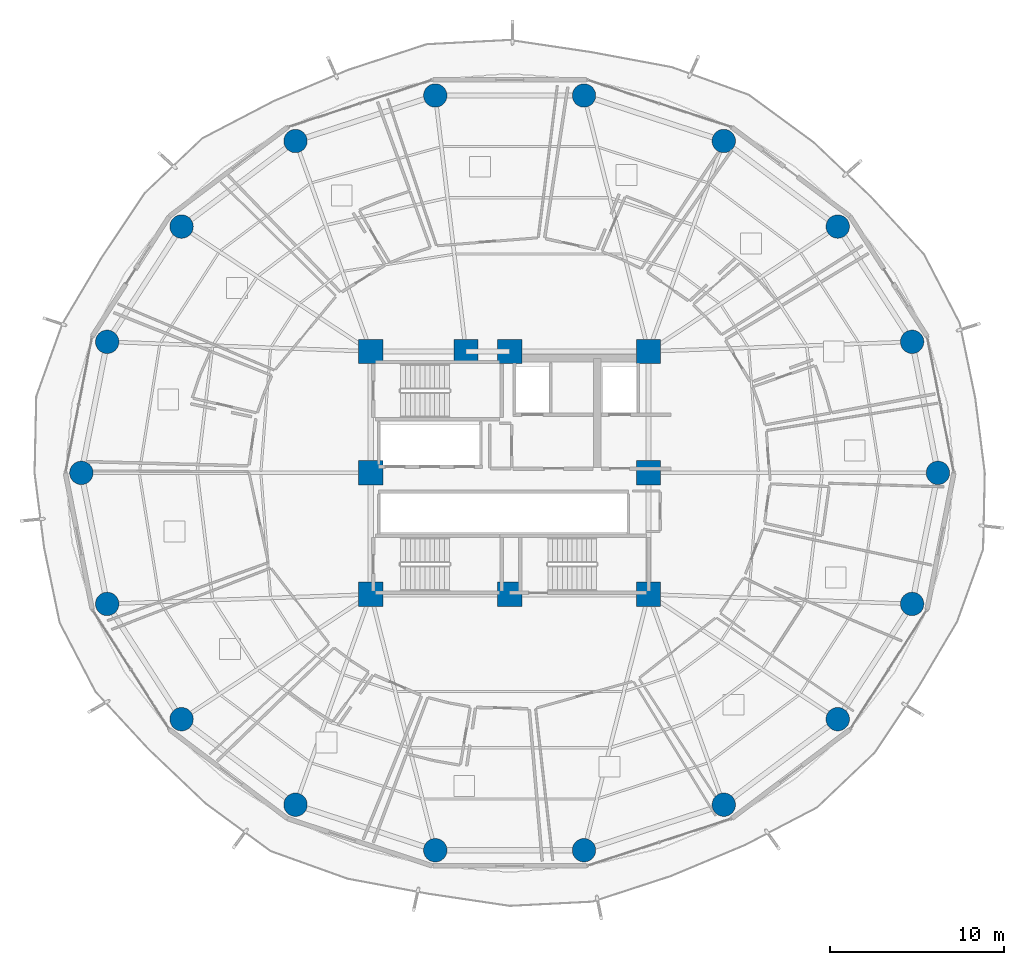
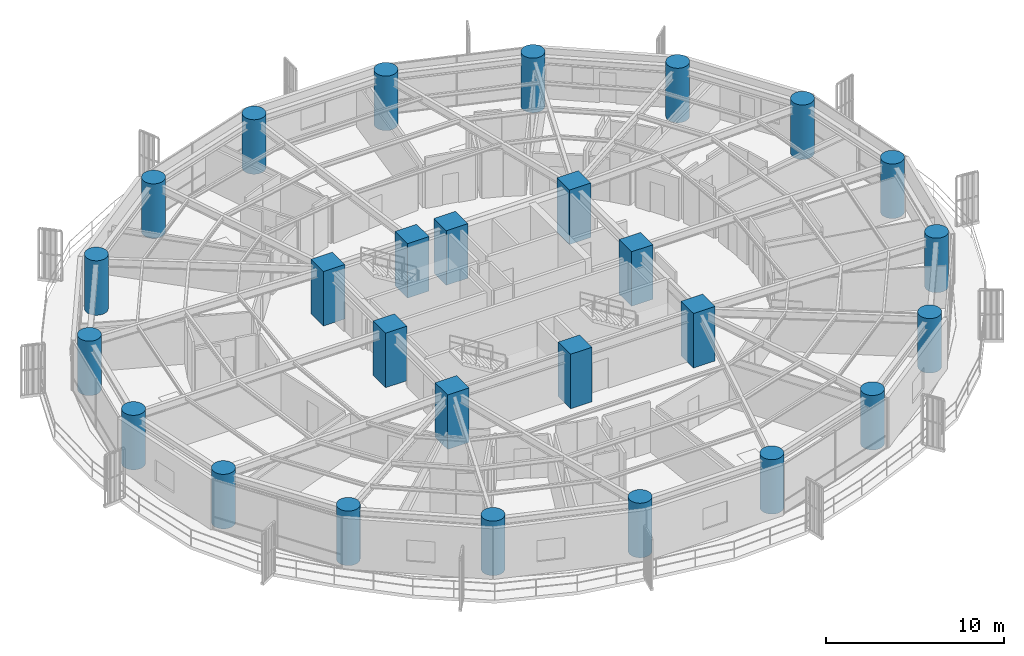
# One storey, part 1 of 33: 27 columns.
"""IFC4 building model written with IfcOpenShell, lengths in metres."""

from ifc_helpers import new_model, si_unit, direction, frame, origin, origin_2d, place, context, subcontext, project, spatial, rectangle, circle, extrude, material, material_profile, profile_set, type_object, element, save


model = new_model("IFC4")

# Units and contexts
model_context = context("Model", 3, precision=1e-05, world=origin(), true_north=direction((0.0, 1.0)))
body_context = subcontext(model_context, "Body", "Model", "MODEL_VIEW")
ifc_project = project(units=[si_unit("LENGTHUNIT", "METRE"), si_unit("AREAUNIT", "SQUARE_METRE"), si_unit("VOLUMEUNIT", "CUBIC_METRE"), si_unit("PLANEANGLEUNIT", "RADIAN"), si_unit("MASSUNIT", "GRAM", prefix="KILO")], contexts=[model_context])

# Site, building, storey
site_placement = place(None, origin())
site = spatial("IfcSite", under=ifc_project, at=site_placement, CompositionType="ELEMENT")
building_placement = place(site_placement, origin())
building = spatial("IfcBuilding", under=site, at=building_placement, Name="Kelanora Arch Commons", CompositionType="ELEMENT")
storey_placement = place(building_placement, frame((0.0, 0.0, 83.85009765625)))
storey = spatial("IfcBuildingStorey", under=building, at=storey_placement, Name="L21", CompositionType="ELEMENT", Elevation=83.85009765625)

# Columns
ifc_material = material(Name="Concrete C60/75", Category="concrete")
ifc_material_profile_1 = material_profile(ifc_material, circle(Radius=0.675048828125, at=origin_2d()), Name="RCC1350")
ifc_profile_set_1 = profile_set([ifc_material_profile_1], Name="Concrete C60/75")
column_type_1 = type_object("IfcColumnType", Name="COL-PERIM-Z2", PredefinedType="COLUMN", material=ifc_profile_set_1)
for number, where, z_axis, x_axis, name in (
    (1, (98.679931640625, 58.0, 0.0), (0.0, 0.0, 1.0), (1.0, 0.0, 0.0), "Perimeter Ring Column CP-00 L21"),
    (2, (97.191650390625, 65.5517578125, 0.0), (0.0, 0.0, 1.0), (1.0, 0.0, 0.0), "Perimeter Ring Column CP-02 L21"),
    (3, (92.906005859375, 72.19287109375, 0.0), (0.0, 0.0, 1.0), (1.0, 0.0, 0.0), "Perimeter Ring Column CP-04 L21"),
    (4, (86.340087890625, 77.121826171875, 0.0), (0.0, 0.0, 1.0), (1.0, 0.0, 0.0), "Perimeter Ring Column CP-06 L21"),
    (5, (78.28564453125, 79.74462890625, 0.0), (0.0, 0.0, 1.0), (1.0, 0.0, 0.0), "Perimeter Ring Column CP-08 L21"),
    (6, (69.71435546875, 79.74462890625, 0.0), (0.0, 0.0, 1.0), (1.0, 0.0, 0.0), "Perimeter Ring Column CP-10 L21"),
    (7, (61.659912109375, 77.121826171875, 0.0), (0.0, 0.0, 1.0), (1.0, 0.0, 0.0), "Perimeter Ring Column CP-12 L21"),
    (8, (55.093994140625, 72.19287109375, 0.0), (0.0, 0.0, 1.0), (1.0, 0.0, 0.0), "Perimeter Ring Column CP-14 L21"),
    (9, (50.808349609375, 65.5517578125, 0.0), (0.0, 0.0, 1.0), (1.0, 0.0, 0.0), "Perimeter Ring Column CP-16 L21"),
    (10, (49.320068359375, 58.0, 0.0), (0.0, 0.0, 1.0), (1.0, 0.0, 0.0), "Perimeter Ring Column CP-18 L21"),
    (11, (50.808349609375, 50.4482421875, 0.0), (0.0, 0.0, 1.0), (1.0, 0.0, 0.0), "Perimeter Ring Column CP-20 L21"),
    (12, (55.093994140625, 43.80712890625, 0.0), (0.0, 0.0, 1.0), (1.0, 0.0, 0.0), "Perimeter Ring Column CP-22 L21"),
    (13, (61.659912109375, 38.878173828125, 0.0), (0.0, 0.0, 1.0), (1.0, 0.0, 0.0), "Perimeter Ring Column CP-24 L21"),
    (14, (69.71435546875, 36.25537109375, 0.0), (0.0, 0.0, 1.0), (1.0, 0.0, 0.0), "Perimeter Ring Column CP-26 L21"),
    (15, (78.28564453125, 36.25537109375, 0.0), (0.0, 0.0, 1.0), (1.0, 0.0, 0.0), "Perimeter Ring Column CP-28 L21"),
    (16, (86.340087890625, 38.878173828125, 0.0), (0.0, 0.0, 1.0), (1.0, 0.0, 0.0), "Perimeter Ring Column CP-30 L21"),
    (17, (92.906005859375, 43.80712890625, 0.0), (0.0, 0.0, 1.0), (1.0, 0.0, 0.0), "Perimeter Ring Column CP-32 L21"),
    (18, (97.191650390625, 50.4482421875, 0.0), (0.0, 0.0, 1.0), (1.0, 0.0, 0.0), "Perimeter Ring Column CP-34 L21"),
):
    element("IfcColumn", number, at=place(storey_placement, frame(where, z_axis=z_axis, x_axis=x_axis)), inside=storey, type_object=column_type_1, Name=name, PredefinedType="COLUMN", context=body_context, shape_type="SweptSolid", body=[
        extrude(circle(Radius=0.675048828125, at=origin_2d()), origin(), (0.0, 0.0, 1.0), 3.75),
    ])
ifc_material_profile_2 = material_profile(ifc_material, rectangle(XDim=1.39990234375, YDim=1.39990234375, at=origin_2d()), Name="RC1400x1400")
ifc_profile_set_2 = profile_set([ifc_material_profile_2], Name="Concrete C60/75")
column_type_2 = type_object("IfcColumnType", Name="COL-PIL-LOW", PredefinedType="PILASTER", material=ifc_profile_set_2)
for number, where, z_axis, x_axis, name in (
    (19, (66.0, 51.0, 0.0), (0.0, 0.0, 1.0), (1.0, 0.0, 0.0), "Core Pilaster Column CP1 L21"),
    (20, (74.0, 51.0, 0.0), (0.0, 0.0, 1.0), (1.0, 0.0, 0.0), "Core Pilaster Column CP2 L21"),
    (21, (82.0, 51.0, 0.0), (0.0, 0.0, 1.0), (1.0, 0.0, 0.0), "Core Pilaster Column CP3 L21"),
    (22, (82.0, 58.0, 0.0), (0.0, 0.0, 1.0), (1.0, 0.0, 0.0), "Core Pilaster Column CP4 L21"),
    (23, (82.0, 65.0, 0.0), (0.0, 0.0, 1.0), (1.0, 0.0, 0.0), "Core Pilaster Column CP5 L21"),
    (24, (74.0, 65.0, 0.0), (0.0, 0.0, 1.0), (1.0, 0.0, 0.0), "Core Pilaster Column CP6 L21"),
    (25, (71.47998046875, 65.0, 0.0), (0.0, 0.0, 1.0), (1.0, 0.0, 0.0), "Core Pilaster Column CP9 L21"),
    (26, (66.0, 65.0, 0.0), (0.0, 0.0, 1.0), (1.0, 0.0, 0.0), "Core Pilaster Column CP7 L21"),
    (27, (66.0, 58.0, 0.0), (0.0, 0.0, 1.0), (1.0, 0.0, 0.0), "Core Pilaster Column CP8 L21"),
):
    element("IfcColumn", number, at=place(storey_placement, frame(where, z_axis=z_axis, x_axis=x_axis)), inside=storey, type_object=column_type_2, Name=name, PredefinedType="PILASTER", context=body_context, shape_type="SweptSolid", body=[
        extrude(rectangle(XDim=1.39990234375, YDim=1.39990234375, at=origin_2d()), origin(), (0.0, 0.0, 1.0), 3.75),
    ])

save(model, "model.ifc")
